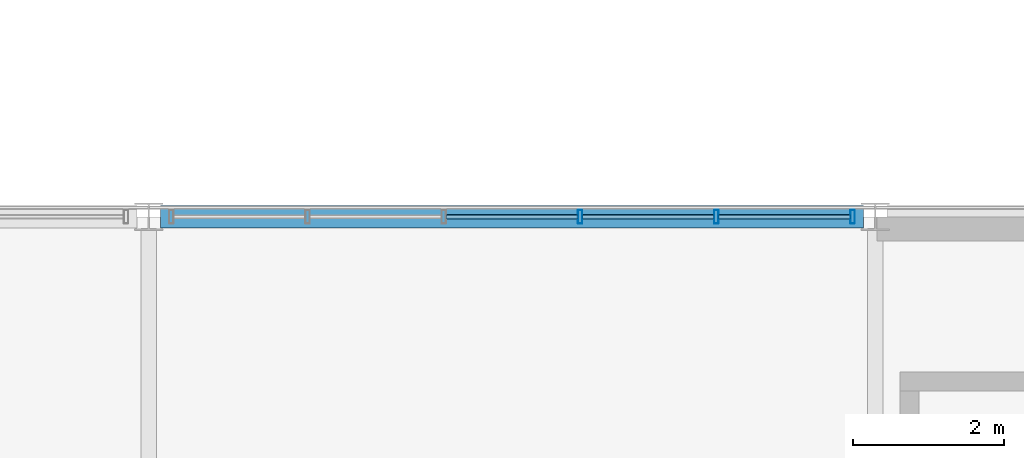
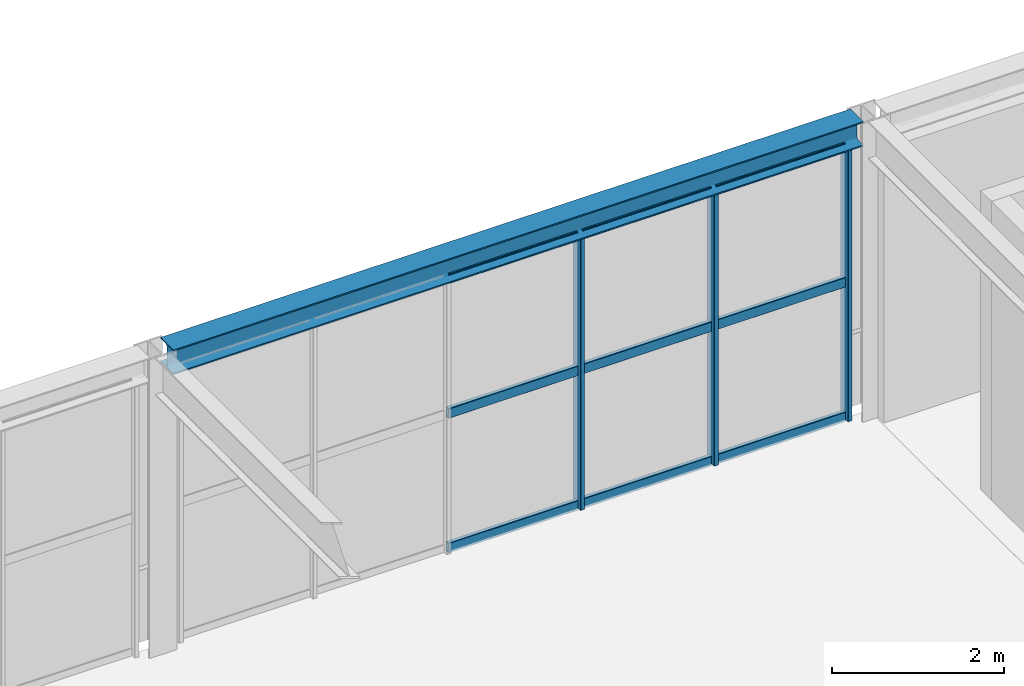
# One storey, part 72 of 170: 12 members, 1 beam, 1 element without a shape of its own.
"""IFC4 building model written with IfcOpenShell, lengths in metres."""

import ifcopenshell
import ifcopenshell.guid

model = None  # the IFC model being written
_history = None  # IfcOwnerHistory: only IFC2X3 demands one
_inside = {}  # id of a spatial element -> (the spatial element, [elements in it])
_under = {}  # id of a project, library or spatial element -> (it, [spatial elements below it])
_declared = {}  # id of a project -> (the project, [libraries it declares])
_typed = {}  # id of a type object -> (the type object, [elements of that type])
_made_of = {}  # id of a material, layer set ... -> (it, [elements and type objects made of it])


def new_model(schema):
    """Start an empty IFC model of exactly this schema.

    Asked for "IFC4X3", IfcOpenShell would pick the latest addendum, in which some entities
    have other attributes; the version numbers below select the first issue.
    IFC2X3 requires an IfcOwnerHistory on every rooted entity: one is made here for all.
    """
    global model, _history
    if schema == "IFC4X3":
        model = ifcopenshell.file(schema_version=(4, 3, 0, 0))
    else:
        model = ifcopenshell.file(schema=schema)
    _inside.clear()
    _under.clear()
    _declared.clear()
    _typed.clear()
    _made_of.clear()
    _history = None
    if model.schema == "IFC2X3":
        org = make("IfcOrganization", Name="unknown")
        user = make(
            "IfcPersonAndOrganization",
            ThePerson=make("IfcPerson", FamilyName="unknown"),
            TheOrganization=org,
        )
        app = make(
            "IfcApplication",
            ApplicationDeveloper=org,
            Version="unknown",
            ApplicationFullName="unknown",
            ApplicationIdentifier="unknown",
        )
        _history = make(
            "IfcOwnerHistory",
            OwningUser=user,
            OwningApplication=app,
            ChangeAction="ADDED",
            CreationDate=0,
        )
    return model


def make(cls, **values):
    """One entity of the class cls with the attributes given. An attribute that is None is left unset."""
    return model.create_entity(
        cls, **{name: value for name, value in values.items() if value is not None}
    )


def rooted(cls, **values):
    """An entity with a GlobalId (a new one), such as an element, a storey or a relation."""
    return make(cls, GlobalId=ifcopenshell.guid.new(), OwnerHistory=_history, **values)


def si_unit(unit_type, name, prefix=None):
    """IfcSIUnit, for example si_unit("LENGTHUNIT", "METRE", prefix="MILLI")."""
    return make("IfcSIUnit", UnitType=unit_type, Prefix=prefix, Name=name)


def assignment(units):
    """IfcUnitAssignment: the units of a project."""
    return None if units is None else make("IfcUnitAssignment", Units=units)


def point(xyz):
    """IfcCartesianPoint."""
    return None if xyz is None else make("IfcCartesianPoint", Coordinates=xyz)


def direction(xyz):
    """IfcDirection."""
    return None if xyz is None else make("IfcDirection", DirectionRatios=xyz)


def frame(location, z_axis=None, x_axis=None):
    """IfcAxis2Placement3D, a coordinate frame: its origin and axes. An axis left out is left unset."""
    return make(
        "IfcAxis2Placement3D",
        Location=point(location),
        Axis=direction(z_axis),
        RefDirection=direction(x_axis),
    )


def frame_2d(location, x_axis=None):
    """IfcAxis2Placement2D, a coordinate frame in the plane: its origin and x axis."""
    return make(
        "IfcAxis2Placement2D", Location=point(location), RefDirection=direction(x_axis)
    )


def origin():
    """The frame at (0, 0, 0) with its axes left unset."""
    return frame((0.0, 0.0, 0.0))


def origin_2d():
    """The frame at (0, 0) in the plane with its x axis left unset."""
    return frame_2d((0.0, 0.0))


def place(relative_to, where):
    """IfcLocalPlacement: puts the frame where relative to a parent placement (None: the world)."""
    return make(
        "IfcLocalPlacement", PlacementRelTo=relative_to, RelativePlacement=where
    )


def context(
    kind, dimensions, precision=None, world=None, true_north=None, identifier=None
):
    """IfcGeometricRepresentationContext, for example the 3D "Model" context."""
    return make(
        "IfcGeometricRepresentationContext",
        ContextIdentifier=identifier,
        ContextType=kind,
        CoordinateSpaceDimension=dimensions,
        Precision=precision,
        WorldCoordinateSystem=world,
        TrueNorth=true_north,
    )


def subcontext(parent, identifier, kind, view, scale=None):
    """IfcGeometricRepresentationSubContext, for example "Body" below "Model"."""
    return make(
        "IfcGeometricRepresentationSubContext",
        ContextIdentifier=identifier,
        ContextType=kind,
        ParentContext=parent,
        TargetScale=scale,
        TargetView=view,
    )


def project(units=None, contexts=None):
    """IfcProject with its units and contexts."""
    return rooted(
        "IfcProject",
        Name="project",
        RepresentationContexts=contexts,
        UnitsInContext=assignment(units),
    )


def spatial(cls, under=None, at=None, **own):
    """A site, building, storey or space (cls), placed at a placement, below another one or the project."""
    s = rooted(cls, ObjectPlacement=at, **own)
    if under is not None:
        _under.setdefault(under.id(), (under, []))[1].append(s)
    return s


def profile(cls, at=None, kind="AREA", **sizes):
    """A parametric profile (cls). Its sizes go by their IFC names, for example OverallWidth=200.0."""
    return make(cls, ProfileType=kind, Position=at, **sizes)


def hollow_rectangle(**sizes):
    """IfcRectangleHollowProfileDef."""
    return profile("IfcRectangleHollowProfileDef", **sizes)


def i_section(**sizes):
    """IfcIShapeProfileDef."""
    return profile("IfcIShapeProfileDef", **sizes)


def extrude(swept, where, along, depth):
    """IfcExtrudedAreaSolid: the profile swept, set in the frame where, extruded along a direction by depth."""
    return make(
        "IfcExtrudedAreaSolid",
        SweptArea=swept,
        Position=where,
        ExtrudedDirection=direction(along),
        Depth=depth,
    )


def shape(context_of_items, identifier, shape_type, items):
    """IfcShapeRepresentation: the items that make up one representation, for example the "Body"."""
    return make(
        "IfcShapeRepresentation",
        ContextOfItems=context_of_items,
        RepresentationIdentifier=identifier,
        RepresentationType=shape_type,
        Items=items,
    )


def material(Name=None, Category=None):
    """IfcMaterial."""
    return make("IfcMaterial", Name=Name, Category=Category)


def material_profile(
    of_material, cross_section, Name=None, Category=None, Priority=None
):
    """IfcMaterialProfile: a cross section and its material."""
    return make(
        "IfcMaterialProfile",
        Name=Name,
        Material=of_material,
        Profile=cross_section,
        Priority=Priority,
        Category=Category,
    )


def profile_set(profiles, Name=None, composite=None):
    """IfcMaterialProfileSet."""
    return make(
        "IfcMaterialProfileSet",
        Name=Name,
        MaterialProfiles=profiles,
        CompositeProfile=composite,
    )


def made_of(thing, what):
    """Note that an element or type object is made of a material, layer set ...; save() writes the relation."""
    if what is not None:
        _made_of.setdefault(what.id(), (what, []))[1].append(thing)
    return thing


def type_object(cls, material=None, **own):
    """A type object (cls), such as IfcWallType, which elements share."""
    return made_of(rooted(cls, **own), material)


def element(
    cls,
    number,
    at=None,
    inside=None,
    cuts=None,
    type_object=None,
    material=None,
    context=None,
    identifier="Body",
    shape_type=None,
    held_by="IfcProductDefinitionShape",
    body=None,
    shapes=None,
    **own,
):
    """One element of the class cls, such as IfcWall. Its Tag is "e" and its number.

    at: its placement. inside: the storey or other place that contains it. cuts: it is an
    opening in that element (IfcRelVoidsElement). A single representation is given by context,
    identifier, shape_type and body (its items); several are given by shapes. held_by: the class
    of the entity that holds the representations. save() writes the other relations.
    """
    e = rooted(cls, Tag="e%d" % number, ObjectPlacement=at, **own)
    if body is not None:
        shapes = [shape(context, identifier, shape_type, body)]
    if shapes is not None:
        e.Representation = make(held_by, Representations=shapes)
    if inside is not None:
        _inside.setdefault(inside.id(), (inside, []))[1].append(e)
    if cuts is not None:
        rooted(
            "IfcRelVoidsElement", RelatingBuildingElement=cuts, RelatedOpeningElement=e
        )
    if type_object is not None:
        _typed.setdefault(type_object.id(), (type_object, []))[1].append(e)
    return made_of(e, material)


def aggregate(whole, parts):
    """IfcRelAggregates: a whole, such as a stair, and the parts it consists of."""
    return rooted("IfcRelAggregates", RelatingObject=whole, RelatedObjects=parts)


def save(model, path):
    """Write the relations noted so far, then the file.

    IfcRelAggregates (storeys below a building ...), IfcRelContainedInSpatialStructure (elements
    in a storey), IfcRelDefinesByType, IfcRelAssociatesMaterial and IfcRelDeclares: one each for
    every whole, place, type object, material and project.
    """
    for whole, parts in _under.values():
        aggregate(whole, parts)
    for where, things in _inside.values():
        rooted(
            "IfcRelContainedInSpatialStructure",
            RelatedElements=things,
            RelatingStructure=where,
        )
    for kind, things in _typed.values():
        rooted("IfcRelDefinesByType", RelatedObjects=things, RelatingType=kind)
    for what, things in _made_of.values():
        rooted("IfcRelAssociatesMaterial", RelatedObjects=things, RelatingMaterial=what)
    for by, libraries in _declared.values():
        rooted("IfcRelDeclares", RelatingContext=by, RelatedDefinitions=libraries)
    model.write(path)


model = new_model("IFC4")

# Units and contexts
model_context = context("Model", 3, precision=1e-05, world=origin(), true_north=direction((0.0, 1.0)))
body_context = subcontext(model_context, "Body", "Model", "MODEL_VIEW")
ifc_project = project(units=[si_unit("LENGTHUNIT", "METRE"), si_unit("AREAUNIT", "SQUARE_METRE"), si_unit("VOLUMEUNIT", "CUBIC_METRE"), si_unit("PLANEANGLEUNIT", "RADIAN"), si_unit("MASSUNIT", "GRAM", prefix="KILO")], contexts=[model_context])

# Site, building, storey
site_placement = place(None, origin())
site = spatial("IfcSite", under=ifc_project, at=site_placement, CompositionType="ELEMENT")
building_placement = place(site_placement, origin())
building = spatial("IfcBuilding", under=site, at=building_placement, Name="Coralgate Yard Interchange", CompositionType="ELEMENT")
storey_placement = place(building_placement, frame((0.0, 0.0, 6.0)))
storey = spatial("IfcBuildingStorey", under=building, at=storey_placement, Name="L01", CompositionType="ELEMENT", Elevation=6.0)

# Beam
ifc_material_1 = material(Name="Structural steel S355J2", Category="steel")
ifc_material_profile_1 = material_profile(ifc_material_1, i_section(OverallWidth=0.300048828125, OverallDepth=0.35009765625, WebThickness=0.010009765625, FlangeThickness=0.017578125, FilletRadius=0.027099609375, at=origin_2d()), Name="HEA 360")
ifc_profile_set_1 = profile_set([ifc_material_profile_1], Name="Structural steel S355J2")
beam_type = type_object("IfcBeamType", Name="BM-SP-1", PredefinedType="SPANDREL", material=ifc_profile_set_1)
beam_placement = place(storey_placement, frame((76.956298828125, 48.0, 4.074951171875), z_axis=(1.0, 0.0, 0.0), x_axis=(0.0, 1.0, 0.0)))
element("IfcBeam", 1, at=beam_placement, inside=storey, type_object=beam_type, Name="L01 primary grid beam Y5 X8-9", PredefinedType="SPANDREL", context=body_context, shape_type="SweptSolid", body=[
    extrude(i_section(OverallWidth=0.300048828125, OverallDepth=0.35009765625, WebThickness=0.010009765625, FlangeThickness=0.017578125, FilletRadius=0.027099609375, at=origin_2d()), origin(), (0.0, 0.0, 1.0), 9.287353515625),
])

# Curtain wall, members
ifc_material_2 = material(Name="Anodised coastal aluminium and solar-control low-E glass", Category="aluminium")
curtain_wall_type = type_object("IfcCurtainWallType", Name="CW-CW-L01-B", PredefinedType="NOTDEFINED", material=ifc_material_2)
curtain_wall_placement = place(storey_placement, origin())
curtain_wall = element("IfcCurtainWall", 2, at=curtain_wall_placement, inside=storey, type_object=curtain_wall_type, Name="L01 unitised curtain wall CW-L01-N-08-04", PredefinedType="NOTDEFINED")
ifc_material_3 = material(Name="Anodised coastal aluminium 6063-T6", Category="aluminium")
ifc_material_profile_2 = material_profile(ifc_material_3, hollow_rectangle(XDim=0.06005859375, YDim=0.179931640625, WallThickness=0.00390625, InnerFilletRadius=0.00390625, OuterFilletRadius=0.008056640625, at=origin_2d()), Name="ALU 60x180x4")
ifc_profile_set_2 = profile_set([ifc_material_profile_2], Name="Anodised coastal aluminium 6063-T6")
member_type_1 = type_object("IfcMemberType", Name="MB-MUL-180", PredefinedType="MULLION", material=ifc_profile_set_2)
member_1_placement = place(storey_placement, frame((82.5, 48.0, 0.0), z_axis=(0.0, 0.0, 1.0), x_axis=(1.0, 0.0, 0.0)))
member_1 = element("IfcMember", 3, at=member_1_placement, type_object=member_type_1, Name="CW-L01-N-08-04 vertical mullion 4", PredefinedType="MULLION", context=body_context, shape_type="SweptSolid", body=[
    extrude(hollow_rectangle(XDim=0.06005859375, YDim=0.179931640625, WallThickness=0.00390625, InnerFilletRadius=0.00390625, OuterFilletRadius=0.008056640625, at=origin_2d()), origin(), (0.0, 0.0, 1.0), 3.89990234375),
])
member_2_placement = place(storey_placement, frame((84.300048828125, 48.0, 0.0), z_axis=(0.0, 0.0, 1.0), x_axis=(1.0, 0.0, 0.0)))
member_2 = element("IfcMember", 4, at=member_2_placement, type_object=member_type_1, Name="CW-L01-N-08-04 vertical mullion 5", PredefinedType="MULLION", context=body_context, shape_type="SweptSolid", body=[
    extrude(hollow_rectangle(XDim=0.06005859375, YDim=0.179931640625, WallThickness=0.00390625, InnerFilletRadius=0.00390625, OuterFilletRadius=0.008056640625, at=origin_2d()), origin(), (0.0, 0.0, 1.0), 3.89990234375),
])
member_3_placement = place(storey_placement, frame((86.10009765625, 48.0, 0.0), z_axis=(0.0, 0.0, 1.0), x_axis=(1.0, 0.0, 0.0)))
member_3 = element("IfcMember", 5, at=member_3_placement, type_object=member_type_1, Name="CW-L01-N-08-04 vertical mullion 6", PredefinedType="MULLION", context=body_context, shape_type="SweptSolid", body=[
    extrude(hollow_rectangle(XDim=0.06005859375, YDim=0.179931640625, WallThickness=0.00390625, InnerFilletRadius=0.00390625, OuterFilletRadius=0.008056640625, at=origin_2d()), origin(), (0.0, 0.0, 1.0), 3.89990234375),
])
ifc_material_profile_3 = material_profile(ifc_material_3, hollow_rectangle(XDim=0.06005859375, YDim=0.139892578125, WallThickness=0.00341796875, InnerFilletRadius=0.00341796875, OuterFilletRadius=0.007080078125, at=origin_2d()), Name="ALU 60x140x3.5")
ifc_profile_set_3 = profile_set([ifc_material_profile_3], Name="Anodised coastal aluminium 6063-T6")
member_type_2 = type_object("IfcMemberType", Name="MB-TRN-140", PredefinedType="USERDEFINED", material=ifc_profile_set_3)
member_4_placement = place(storey_placement, frame((80.72998046875, 48.0, 0.034912109375), z_axis=(1.0, 0.0, 0.0), x_axis=(0.0, 1.0, 0.0)))
member_4 = element("IfcMember", 6, at=member_4_placement, type_object=member_type_2, Name="CW-L01-N-08-04 horizontal transom 3-1", ObjectType="TRANSOM", PredefinedType="USERDEFINED", context=body_context, shape_type="SweptSolid", body=[
    extrude(hollow_rectangle(XDim=0.06005859375, YDim=0.139892578125, WallThickness=0.00341796875, InnerFilletRadius=0.00341796875, OuterFilletRadius=0.007080078125, at=origin_2d()), origin(), (0.0, 0.0, 1.0), 1.739990234375),
])
member_5_placement = place(storey_placement, frame((80.72998046875, 48.0, 1.949951171875), z_axis=(1.0, 0.0, 0.0), x_axis=(0.0, 1.0, 0.0)))
member_5 = element("IfcMember", 7, at=member_5_placement, type_object=member_type_2, Name="CW-L01-N-08-04 horizontal transom 3-2", ObjectType="TRANSOM", PredefinedType="USERDEFINED", context=body_context, shape_type="SweptSolid", body=[
    extrude(hollow_rectangle(XDim=0.06005859375, YDim=0.139892578125, WallThickness=0.00341796875, InnerFilletRadius=0.00341796875, OuterFilletRadius=0.007080078125, at=origin_2d()), origin(), (0.0, 0.0, 1.0), 1.739990234375),
])
member_6_placement = place(storey_placement, frame((80.72998046875, 48.0, 3.864990234375), z_axis=(1.0, 0.0, 0.0), x_axis=(0.0, 1.0, 0.0)))
member_6 = element("IfcMember", 8, at=member_6_placement, type_object=member_type_2, Name="CW-L01-N-08-04 horizontal transom 3-3", ObjectType="TRANSOM", PredefinedType="USERDEFINED", context=body_context, shape_type="SweptSolid", body=[
    extrude(hollow_rectangle(XDim=0.06005859375, YDim=0.139892578125, WallThickness=0.00341796875, InnerFilletRadius=0.00341796875, OuterFilletRadius=0.007080078125, at=origin_2d()), origin(), (0.0, 0.0, 1.0), 1.739990234375),
])
member_7_placement = place(storey_placement, frame((82.530029296875, 48.0, 0.034912109375), z_axis=(1.0, 0.0, 0.0), x_axis=(0.0, 1.0, 0.0)))
member_7 = element("IfcMember", 9, at=member_7_placement, type_object=member_type_2, Name="CW-L01-N-08-04 horizontal transom 4-1", ObjectType="TRANSOM", PredefinedType="USERDEFINED", context=body_context, shape_type="SweptSolid", body=[
    extrude(hollow_rectangle(XDim=0.06005859375, YDim=0.139892578125, WallThickness=0.00341796875, InnerFilletRadius=0.00341796875, OuterFilletRadius=0.007080078125, at=origin_2d()), origin(), (0.0, 0.0, 1.0), 1.739990234375),
])
member_8_placement = place(storey_placement, frame((82.530029296875, 48.0, 1.949951171875), z_axis=(1.0, 0.0, 0.0), x_axis=(0.0, 1.0, 0.0)))
member_8 = element("IfcMember", 10, at=member_8_placement, type_object=member_type_2, Name="CW-L01-N-08-04 horizontal transom 4-2", ObjectType="TRANSOM", PredefinedType="USERDEFINED", context=body_context, shape_type="SweptSolid", body=[
    extrude(hollow_rectangle(XDim=0.06005859375, YDim=0.139892578125, WallThickness=0.00341796875, InnerFilletRadius=0.00341796875, OuterFilletRadius=0.007080078125, at=origin_2d()), origin(), (0.0, 0.0, 1.0), 1.739990234375),
])
member_9_placement = place(storey_placement, frame((82.530029296875, 48.0, 3.864990234375), z_axis=(1.0, 0.0, 0.0), x_axis=(0.0, 1.0, 0.0)))
member_9 = element("IfcMember", 11, at=member_9_placement, type_object=member_type_2, Name="CW-L01-N-08-04 horizontal transom 4-3", ObjectType="TRANSOM", PredefinedType="USERDEFINED", context=body_context, shape_type="SweptSolid", body=[
    extrude(hollow_rectangle(XDim=0.06005859375, YDim=0.139892578125, WallThickness=0.00341796875, InnerFilletRadius=0.00341796875, OuterFilletRadius=0.007080078125, at=origin_2d()), origin(), (0.0, 0.0, 1.0), 1.739990234375),
])
member_10_placement = place(storey_placement, frame((84.330078125, 48.0, 0.034912109375), z_axis=(1.0, 0.0, 0.0), x_axis=(0.0, 1.0, 0.0)))
member_10 = element("IfcMember", 12, at=member_10_placement, type_object=member_type_2, Name="CW-L01-N-08-04 horizontal transom 5-1", ObjectType="TRANSOM", PredefinedType="USERDEFINED", context=body_context, shape_type="SweptSolid", body=[
    extrude(hollow_rectangle(XDim=0.06005859375, YDim=0.139892578125, WallThickness=0.00341796875, InnerFilletRadius=0.00341796875, OuterFilletRadius=0.007080078125, at=origin_2d()), origin(), (0.0, 0.0, 1.0), 1.739990234375),
])
member_11_placement = place(storey_placement, frame((84.330078125, 48.0, 1.949951171875), z_axis=(1.0, 0.0, 0.0), x_axis=(0.0, 1.0, 0.0)))
member_11 = element("IfcMember", 13, at=member_11_placement, type_object=member_type_2, Name="CW-L01-N-08-04 horizontal transom 5-2", ObjectType="TRANSOM", PredefinedType="USERDEFINED", context=body_context, shape_type="SweptSolid", body=[
    extrude(hollow_rectangle(XDim=0.06005859375, YDim=0.139892578125, WallThickness=0.00341796875, InnerFilletRadius=0.00341796875, OuterFilletRadius=0.007080078125, at=origin_2d()), origin(), (0.0, 0.0, 1.0), 1.739990234375),
])
member_12_placement = place(storey_placement, frame((84.330078125, 48.0, 3.864990234375), z_axis=(1.0, 0.0, 0.0), x_axis=(0.0, 1.0, 0.0)))
member_12 = element("IfcMember", 14, at=member_12_placement, type_object=member_type_2, Name="CW-L01-N-08-04 horizontal transom 5-3", ObjectType="TRANSOM", PredefinedType="USERDEFINED", context=body_context, shape_type="SweptSolid", body=[
    extrude(hollow_rectangle(XDim=0.06005859375, YDim=0.139892578125, WallThickness=0.00341796875, InnerFilletRadius=0.00341796875, OuterFilletRadius=0.007080078125, at=origin_2d()), origin(), (0.0, 0.0, 1.0), 1.739990234375),
])
aggregate(curtain_wall, [member_1, member_2, member_3, member_4, member_5, member_6, member_7, member_8, member_9, member_10, member_11, member_12])

save(model, "model.ifc")
